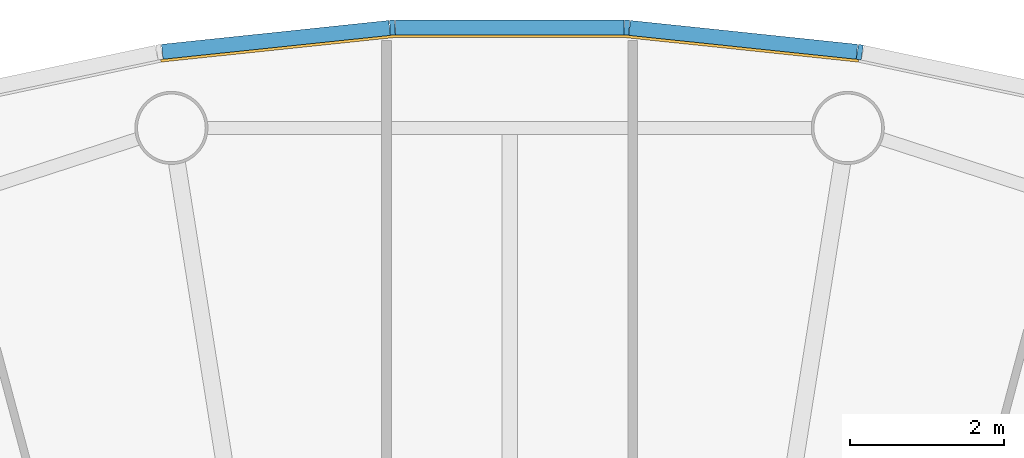
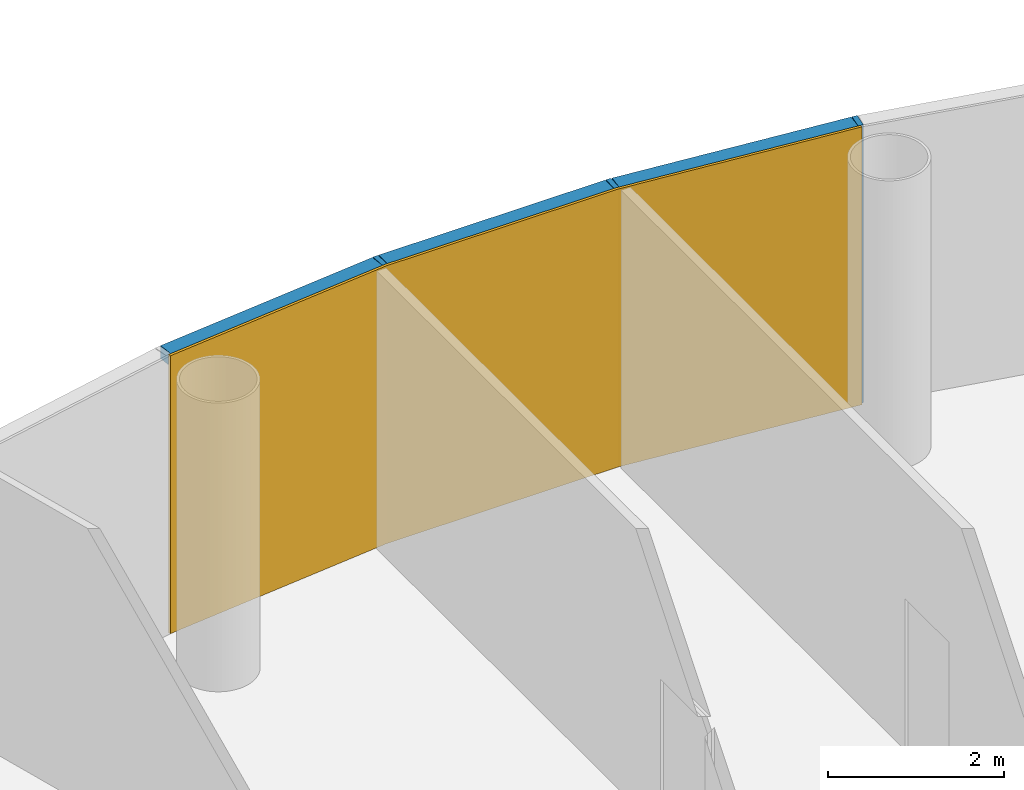
# One storey, part 11 of 13: 6 members, 1 curtain wall.
"""IFC4 building model written with IfcOpenShell, lengths in metres."""

from ifc_helpers import new_model, si_unit, direction, frame, origin, origin_2d, place, context, subcontext, project, spatial, polyline, rectangle, outline, extrude, material, layer, layer_set, material_profile, profile_set, type_object, element, aggregate, save


model = new_model("IFC4")

# Units and contexts
model_context = context("Model", 3, precision=1e-05, world=origin(), true_north=direction((0.0, 1.0)))
body_context = subcontext(model_context, "Body", "Model", "MODEL_VIEW")
ifc_project = project(units=[si_unit("LENGTHUNIT", "METRE"), si_unit("AREAUNIT", "SQUARE_METRE"), si_unit("VOLUMEUNIT", "CUBIC_METRE"), si_unit("PLANEANGLEUNIT", "RADIAN"), si_unit("MASSUNIT", "GRAM", prefix="KILO")], contexts=[model_context])

# Member
ifc_material_1 = material(Name="Anodised aluminium", Category="aluminium")
ifc_material_profile_1 = material_profile(ifc_material_1, rectangle(XDim=0.06494140625, YDim=0.195068359375, at=origin_2d()), Name="Mullion 65 x 195 mm anodised aluminium")
ifc_profile_set_1 = profile_set([ifc_material_profile_1], Name="Anodised aluminium")
member_type_1 = type_object("IfcMemberType", Name="Mullion 65 x 195 mm anodised aluminium", PredefinedType="MULLION", material=ifc_profile_set_1)
site_placement = place(None, origin())
building_placement = place(site_placement, origin())
storey_placement = place(building_placement, frame((0.0, 0.0, 278.0)))
member_1_placement = place(storey_placement, frame((94.5517578125, 108.7392578125, 0.0), z_axis=(0.0, 0.0, 1.0), x_axis=(-0.987688340595, 0.15643446504, 0.0)))
member_1 = element("IfcMember", 1, at=member_1_placement, type_object=member_type_1, Name="MULLION L63-12", PredefinedType="MULLION", context=body_context, shape_type="SweptSolid", body=[
    extrude(rectangle(XDim=0.06494140625, YDim=0.195068359375, at=origin_2d()), origin(), (0.0, 0.0, 1.0), 3.85009765625),
])

member_2_placement = place(storey_placement, frame((91.52294921875, 109.0576171875, 0.0), z_axis=(0.0, 0.0, 1.0), x_axis=(-0.998629534755, 0.052335956243, 0.0)))
member_2 = element("IfcMember", 2, at=member_2_placement, type_object=member_type_1, Name="MULLION L63-13", PredefinedType="MULLION", context=body_context, shape_type="SweptSolid", body=[
    extrude(rectangle(XDim=0.06494140625, YDim=0.195068359375, at=origin_2d()), origin(), (0.0, 0.0, 1.0), 3.85009765625),
])

member_3_placement = place(storey_placement, frame((88.47705078125, 109.0576171875, 0.0), z_axis=(0.0, 0.0, 1.0), x_axis=(-0.998629534755, -0.052335956243, 0.0)))
member_3 = element("IfcMember", 3, at=member_3_placement, type_object=member_type_1, Name="MULLION L63-14", PredefinedType="MULLION", context=body_context, shape_type="SweptSolid", body=[
    extrude(rectangle(XDim=0.06494140625, YDim=0.195068359375, at=origin_2d()), origin(), (0.0, 0.0, 1.0), 3.85009765625),
])

ifc_material_2 = material(Name="Anodised aluminium", Category="aluminium")
ifc_material_profile_2 = material_profile(ifc_material_2, rectangle(XDim=0.195068359375, YDim=0.179931640625, at=origin_2d()), Name="Transom 180 x 195 mm anodised aluminium")
ifc_profile_set_2 = profile_set([ifc_material_profile_2], Name="Anodised aluminium")
member_type_2 = type_object("IfcMemberType", Name="Transom 180 x 195 mm anodised aluminium", PredefinedType="USERDEFINED", material=ifc_profile_set_2)
member_4_placement = place(storey_placement, frame((94.514404296875, 108.743408203125, 3.760009765625), z_axis=(-0.994528397827, 0.104466577987, 0.0), x_axis=(-0.104466577987, -0.994528397827, 0.0)))
member_4 = element("IfcMember", 4, at=member_4_placement, type_object=member_type_2, Name="TRANSOM L63-12", ObjectType="TRANSOM", PredefinedType="USERDEFINED", context=body_context, shape_type="SweptSolid", body=[
    extrude(rectangle(XDim=0.195068359375, YDim=0.179931640625, at=origin_2d()), origin(), (0.0, 0.0, 1.0), 2.970458984375),
])

member_5_placement = place(storey_placement, frame((91.4853515625, 109.057861328125, 3.760009765625), z_axis=(-1.0, 0.0, 0.0), x_axis=(0.0, -1.0, 0.0)))
member_5 = element("IfcMember", 5, at=member_5_placement, type_object=member_type_2, Name="TRANSOM L63-13", ObjectType="TRANSOM", PredefinedType="USERDEFINED", context=body_context, shape_type="SweptSolid", body=[
    extrude(rectangle(XDim=0.195068359375, YDim=0.179931640625, at=origin_2d()), origin(), (0.0, 0.0, 1.0), 2.970703125),
])

member_6_placement = place(storey_placement, frame((88.439697265625, 109.0537109375, 3.760009765625), z_axis=(-0.994528397827, -0.104466577987, 0.0), x_axis=(0.104466577987, -0.994528397827, 0.0)))
member_6 = element("IfcMember", 6, at=member_6_placement, type_object=member_type_2, Name="TRANSOM L63-14", ObjectType="TRANSOM", PredefinedType="USERDEFINED", context=body_context, shape_type="SweptSolid", body=[
    extrude(rectangle(XDim=0.195068359375, YDim=0.179931640625, at=origin_2d()), origin(), (0.0, 0.0, 1.0), 2.970458984375),
])

# Site, building, storey
site = spatial("IfcSite", under=ifc_project, at=site_placement, CompositionType="ELEMENT")
building = spatial("IfcBuilding", under=site, at=building_placement, Name="Entoto Ring Tower", CompositionType="ELEMENT")
storey = spatial("IfcBuildingStorey", under=building, at=storey_placement, Name="L63", CompositionType="ELEMENT", Elevation=278.0)

# Curtain wall
ifc_material_3 = material(Name="Clear low-iron glass", Category="glass")
ifc_layer = layer(ifc_material_3, 0.033935546875)
ifc_layer_set = layer_set([ifc_layer], Name="Clear low-iron glass")
curtain_wall_type = type_object("IfcCurtainWallType", Name="Curtain wall system CW5 glazing 34 mm", PredefinedType="NOTDEFINED", material=ifc_layer_set)
curtain_wall_placement = place(storey_placement, origin())
curtain_wall = element("IfcCurtainWall", 7, at=curtain_wall_placement, inside=storey, type_object=curtain_wall_type, Name="CW5 L63-05", PredefinedType="NOTDEFINED", context=body_context, shape_type="SweptSolid", body=[
    extrude(outline(polyline([(94.53662109375, 108.64306640625), (91.517822265625, 108.960205078125), (88.482177734375, 108.960205078125), (85.46337890625, 108.64306640625), (85.46875, 108.609375), (88.484130859375, 108.92626953125), (91.515869140625, 108.92626953125), (94.53125, 108.609375), (94.53662109375, 108.64306640625)])), origin(), (0.0, 0.0, 1.0), 3.85009765625),
])

aggregate(curtain_wall, [member_1, member_2, member_3, member_4, member_5, member_6])

save(model, "model.ifc")
